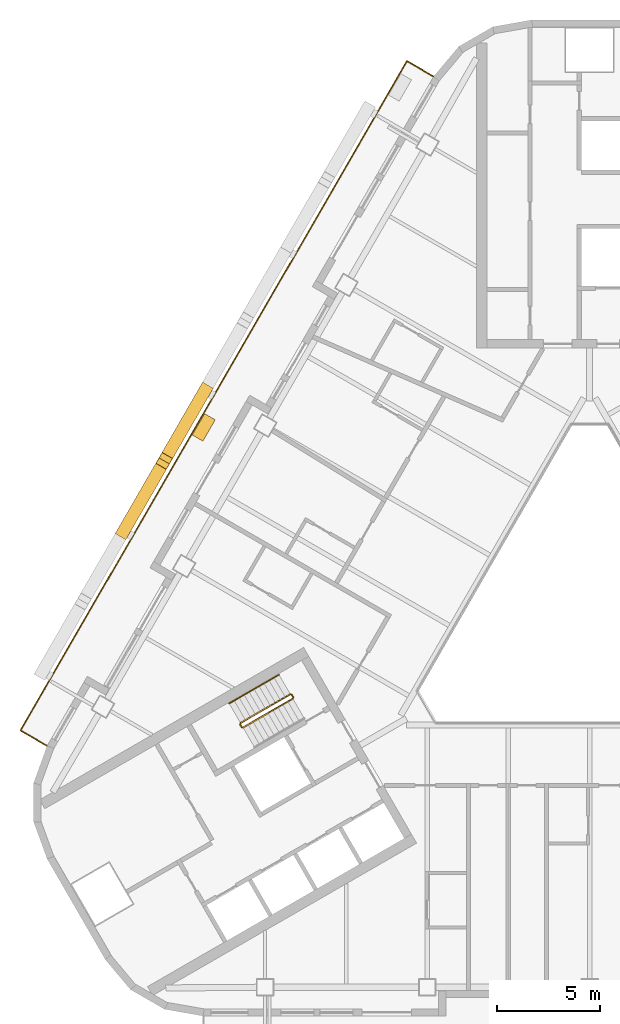
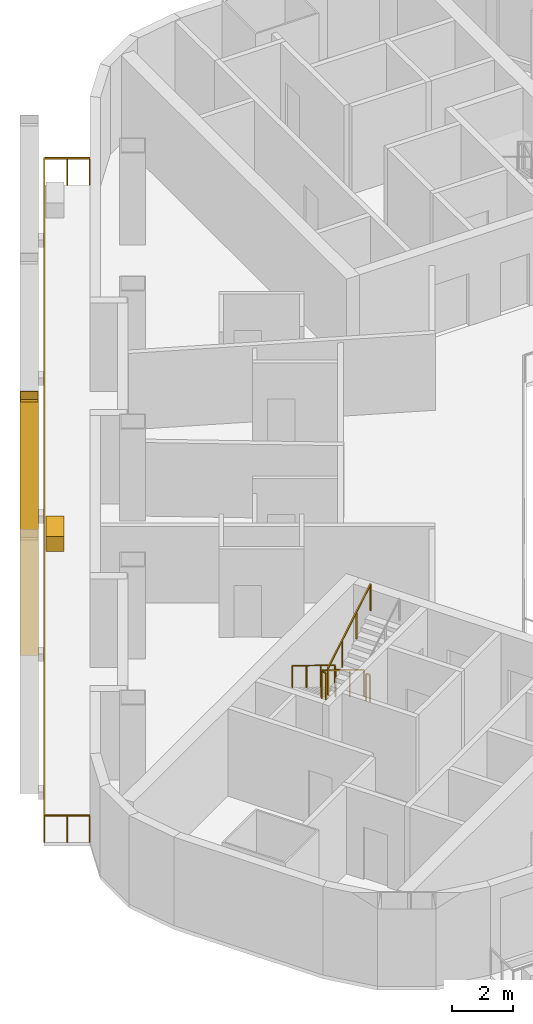
# One storey, part 10 of 14: 6 railings, 2 shading devices, 1 covering.
"""IFC4 building model written with IfcOpenShell, lengths in metres."""

from ifc_helpers import new_model, si_unit, direction, frame, origin, origin_2d, place, context, subcontext, project, spatial, rectangle, hollow_rectangle, circle, extrude, material, material_profile, profile_set, type_object, element, save


model = new_model("IFC4")

# Units and contexts
model_context = context("Model", 3, precision=1e-05, world=origin(), true_north=direction((0.0, 1.0)))
body_context = subcontext(model_context, "Body", "Model", "MODEL_VIEW")
ifc_project = project(units=[si_unit("LENGTHUNIT", "METRE"), si_unit("AREAUNIT", "SQUARE_METRE"), si_unit("VOLUMEUNIT", "CUBIC_METRE"), si_unit("PLANEANGLEUNIT", "RADIAN"), si_unit("MASSUNIT", "GRAM", prefix="KILO")], contexts=[model_context])

# Site, building, storey
site_placement = place(None, origin())
site = spatial("IfcSite", under=ifc_project, at=site_placement, CompositionType="ELEMENT")
building_placement = place(site_placement, origin())
building = spatial("IfcBuilding", under=site, at=building_placement, Name="Apuvela Tower Hotel", CompositionType="ELEMENT")
storey_placement = place(building_placement, frame((0.0, 0.0, 176.199951171875)))
storey = spatial("IfcBuildingStorey", under=building, at=storey_placement, Name="L42", CompositionType="ELEMENT", Elevation=176.199951171875)

# Railings
ifc_material_1 = material(Name="Steel S275 balustrade", Category="steel")
railing_type_1 = type_object("IfcRailingType", Name="COR-GUARD-1100", PredefinedType="GUARDRAIL", material=ifc_material_1)
railing_1_placement = place(storey_placement, frame((-14.569091796875, -3.9658203125, 0.168212890625)))
element("IfcRailing", 1, at=railing_1_placement, inside=storey, type_object=railing_type_1, Name="L42 ST2 stair guard 1", PredefinedType="GUARDRAIL", context=body_context, shape_type="SweptSolid", body=[
    extrude(rectangle(XDim=0.048095703125, YDim=0.048095703125, at=origin_2d()), frame((0.0, 0.0, 1.076171875), z_axis=(-0.742390482028, -0.42860119049, 0.514934356695), x_axis=(0.49998411664, -0.866034573852, 0.0)), (0.0, 0.0, 1.0), 3.26611328125),
    extrude(rectangle(XDim=0.0419921875, YDim=0.0419921875, at=origin_2d()), origin(), (0.0, 0.0, 1.0), 1.052001953125),
    extrude(rectangle(XDim=0.0419921875, YDim=0.0419921875, at=origin_2d()), frame((-0.808349609375, -0.466552734375, 0.560546875)), (0.0, 0.0, 1.0), 1.052001953125),
    extrude(rectangle(XDim=0.0419921875, YDim=0.0419921875, at=origin_2d()), frame((-1.616455078125, -0.933349609375, 1.121337890625)), (0.0, 0.0, 1.0), 1.052001953125),
    extrude(rectangle(XDim=0.0419921875, YDim=0.0419921875, at=origin_2d()), frame((-2.4248046875, -1.39990234375, 1.681884765625)), (0.0, 0.0, 1.0), 1.052001953125),
])
railing_2_placement = place(storey_placement, frame((-17.01220703125, -5.43408203125, 1.85009765625)))
element("IfcRailing", 2, at=railing_2_placement, inside=storey, type_object=railing_type_1, Name="L42 ST2 stair guard 2", PredefinedType="GUARDRAIL", context=body_context, shape_type="SweptSolid", body=[
    extrude(rectangle(XDim=0.048095703125, YDim=0.048095703125, at=origin_2d()), frame((0.0, 0.0, 1.076171875), z_axis=(0.499816412211, -0.866131372301, 0.0), x_axis=(0.866131372301, 0.499816412211, 0.0)), (0.0, 0.0, 1.0), 0.14990234375),
    extrude(rectangle(XDim=0.0419921875, YDim=0.0419921875, at=origin_2d()), origin(), (0.0, 0.0, 1.0), 1.052001953125),
    extrude(rectangle(XDim=0.0419921875, YDim=0.0419921875, at=origin_2d()), frame((0.074951171875, -0.1298828125, 0.0)), (0.0, 0.0, 1.0), 1.052001953125),
])
railing_3_placement = place(storey_placement, frame((-16.868896484375, -5.582275390625, 2.018310546875)))
element("IfcRailing", 3, at=railing_3_placement, inside=storey, type_object=railing_type_1, Name="L42 ST2 stair guard 3", PredefinedType="GUARDRAIL", context=body_context, shape_type="SweptSolid", body=[
    extrude(rectangle(XDim=0.048095703125, YDim=0.048095703125, at=origin_2d()), frame((0.0, 0.0, 1.076171875), z_axis=(0.74241905619, 0.428617687091, 0.514879426), x_axis=(-0.49998411664, 0.866034573852, 0.0)), (0.0, 0.0, 1.0), 3.26611328125),
    extrude(rectangle(XDim=0.0419921875, YDim=0.0419921875, at=origin_2d()), origin(), (0.0, 0.0, 1.0), 1.052001953125),
    extrude(rectangle(XDim=0.0419921875, YDim=0.0419921875, at=origin_2d()), frame((0.808349609375, 0.466552734375, 0.560546875)), (0.0, 0.0, 1.0), 1.052001953125),
    extrude(rectangle(XDim=0.0419921875, YDim=0.0419921875, at=origin_2d()), frame((1.616455078125, 0.933349609375, 1.12109375)), (0.0, 0.0, 1.0), 1.052001953125),
    extrude(rectangle(XDim=0.0419921875, YDim=0.0419921875, at=origin_2d()), frame((2.4248046875, 1.39990234375, 1.681640625)), (0.0, 0.0, 1.0), 1.052001953125),
])
railing_4_placement = place(storey_placement, frame((-14.500732421875, -3.984130859375, 0.0)))
element("IfcRailing", 4, at=railing_4_placement, inside=storey, type_object=railing_type_1, Name="L42 ST2 stair guard 4", PredefinedType="GUARDRAIL", context=body_context, shape_type="SweptSolid", body=[
    extrude(rectangle(XDim=0.048095703125, YDim=0.048095703125, at=origin_2d()), frame((0.0, 0.0, 1.076171875), z_axis=(0.499816412211, -0.866131372301, 0.0), x_axis=(0.866131372301, 0.499816412211, 0.0)), (0.0, 0.0, 1.0), 0.14990234375),
    extrude(rectangle(XDim=0.0419921875, YDim=0.0419921875, at=origin_2d()), origin(), (0.0, 0.0, 1.0), 1.052001953125),
    extrude(rectangle(XDim=0.0419921875, YDim=0.0419921875, at=origin_2d()), frame((0.074951171875, -0.1298828125, 0.0)), (0.0, 0.0, 1.0), 1.052001953125),
])
ifc_material_2 = material(Name="Stainless steel 316 handrail", Category="steel")
railing_type_2 = type_object("IfcRailingType", Name="COR-HANDRAIL-900", PredefinedType="HANDRAIL", material=ifc_material_2)
railing_5_placement = place(storey_placement, frame((-15.118896484375, -3.01318359375, 0.168212890625)))
element("IfcRailing", 5, at=railing_5_placement, inside=storey, type_object=railing_type_2, Name="L42 ST2 stair handrail 1", PredefinedType="HANDRAIL", context=body_context, shape_type="SweptSolid", body=[
    extrude(circle(Radius=0.02392578125, at=origin_2d()), frame((0.0, 0.0, 0.8759765625), z_axis=(-0.742424030051, -0.428577407461, 0.514905783049), x_axis=(0.49994636267, -0.866056369097, 0.0)), (0.0, 0.0, 1.0), 3.266357421875),
    extrude(rectangle(XDim=0.0419921875, YDim=0.0419921875, at=origin_2d()), origin(), (0.0, 0.0, 1.0), 0.851806640625),
    extrude(rectangle(XDim=0.0419921875, YDim=0.0419921875, at=origin_2d()), frame((-0.808349609375, -0.466552734375, 0.560546875)), (0.0, 0.0, 1.0), 0.851806640625),
    extrude(rectangle(XDim=0.0419921875, YDim=0.0419921875, at=origin_2d()), frame((-1.61669921875, -0.933349609375, 1.121337890625)), (0.0, 0.0, 1.0), 0.851806640625),
    extrude(rectangle(XDim=0.0419921875, YDim=0.0419921875, at=origin_2d()), frame((-2.425048828125, -1.39990234375, 1.681884765625)), (0.0, 0.0, 1.0), 0.851806640625),
])

# Shading devices
ifc_material_3 = material(Name="Aluminium 6063-T6, black anodised", Category="aluminium")
ifc_material_profile = material_profile(ifc_material_3, hollow_rectangle(XDim=0.60009765625, YDim=0.699951171875, WallThickness=0.011962890625, at=origin_2d()), Name="AL BOX 700x600x12")
ifc_profile_set = profile_set([ifc_material_profile], Name="Aluminium 6063-T6, black anodised")
shading_device_type = type_object("IfcShadingDeviceType", Name="ENV-FIN-700x600", PredefinedType="USERDEFINED", material=ifc_profile_set)
shading_device_1_placement = place(storey_placement, frame((-18.732177734375, 10.81494140625, -0.099853515625), z_axis=(-0.235436388043, -0.407800622186, 0.882195193667), x_axis=(0.866032218625, -0.499988196164, 0.0)))
element("IfcShadingDevice", 6, at=shading_device_1_placement, inside=storey, type_object=shading_device_type, Name="Lattice fin NW421", ObjectType="FIN", PredefinedType="USERDEFINED", context=body_context, shape_type="SweptSolid", body=[
    extrude(hollow_rectangle(XDim=0.60009765625, YDim=0.699951171875, WallThickness=0.011962890625, at=origin_2d()), origin(), (0.0, 0.0, 1.0), 8.387939453125),
])
shading_device_2_placement = place(storey_placement, frame((-22.68212890625, 3.973388671875, -0.099853515625), z_axis=(0.235461085354, 0.407822092458, 0.882178677019), x_axis=(-0.866020906874, 0.500007788796, 0.0)))
element("IfcShadingDevice", 7, at=shading_device_2_placement, inside=storey, type_object=shading_device_type, Name="Lattice fin NW422", ObjectType="FIN", PredefinedType="USERDEFINED", context=body_context, shape_type="SweptSolid", body=[
    extrude(hollow_rectangle(XDim=0.60009765625, YDim=0.699951171875, WallThickness=0.011962890625, at=origin_2d()), origin(), (0.0, 0.0, 1.0), 8.38818359375),
])

# Railing
ifc_material_4 = material(Name="Stainless steel 316 rail with laminated glass infill", Category="steel")
railing_type_3 = type_object("IfcRailingType", Name="ENV-GUARD-1100", PredefinedType="GUARDRAIL", material=ifc_material_4)
railing_6_placement = place(storey_placement, frame((-7.59228515625, 26.110107421875, 0.0)))
element("IfcRailing", 8, at=railing_6_placement, inside=storey, type_object=railing_type_3, Name="Balcony guard NW L42", PredefinedType="GUARDRAIL", context=body_context, shape_type="SweptSolid", body=[
    extrude(rectangle(XDim=0.050048828125, YDim=0.050048828125, at=origin_2d()), frame((0.0, 0.0, 1.0751953125), z_axis=(-0.86599040064, 0.500060622324, 0.0), x_axis=(-0.500060622324, -0.86599040064, 0.0)), (0.0, 0.0, 1.0), 1.499755859375),
    extrude(rectangle(XDim=0.050048828125, YDim=0.050048828125, at=origin_2d()), frame((-1.298828125, 0.75, 1.0751953125), z_axis=(-0.500000437506, -0.86602515119, 0.0), x_axis=(0.86602515119, -0.500000437506, 0.0)), (0.0, 0.0, 1.0), 37.6318359375),
    extrude(rectangle(XDim=0.050048828125, YDim=0.050048828125, at=origin_2d()), frame((-20.11474609375, -31.840087890625, 1.0751953125), z_axis=(0.866031096941, -0.499990139034, 0.0), x_axis=(0.499990139034, 0.866031096941, 0.0)), (0.0, 0.0, 1.0), 1.5),
    extrude(rectangle(XDim=0.0400390625, YDim=0.0400390625, at=origin_2d()), origin(), (0.0, 0.0, 1.0), 1.050048828125),
    extrude(rectangle(XDim=0.0400390625, YDim=0.0400390625, at=origin_2d()), frame((-0.6494140625, 0.375, 0.0)), (0.0, 0.0, 1.0), 1.050048828125),
    extrude(rectangle(XDim=0.0400390625, YDim=0.0400390625, at=origin_2d()), frame((-1.298828125, 0.75, 0.0)), (0.0, 0.0, 1.0), 1.050048828125),
    extrude(rectangle(XDim=0.0400390625, YDim=0.0400390625, at=origin_2d()), frame((-1.88671875, -0.2685546875, 0.0)), (0.0, 0.0, 1.0), 1.050048828125),
    extrude(rectangle(XDim=0.0400390625, YDim=0.0400390625, at=origin_2d()), frame((-2.474853515625, -1.286865234375, 0.0)), (0.0, 0.0, 1.0), 1.050048828125),
    extrude(rectangle(XDim=0.0400390625, YDim=0.0400390625, at=origin_2d()), frame((-3.062744140625, -2.305419921875, 0.0)), (0.0, 0.0, 1.0), 1.050048828125),
    extrude(rectangle(XDim=0.0400390625, YDim=0.0400390625, at=origin_2d()), frame((-3.65087890625, -3.32373046875, 0.0)), (0.0, 0.0, 1.0), 1.050048828125),
    extrude(rectangle(XDim=0.0400390625, YDim=0.0400390625, at=origin_2d()), frame((-4.23876953125, -4.34228515625, 0.0)), (0.0, 0.0, 1.0), 1.050048828125),
    extrude(rectangle(XDim=0.0400390625, YDim=0.0400390625, at=origin_2d()), frame((-4.826904296875, -5.360595703125, 0.0)), (0.0, 0.0, 1.0), 1.050048828125),
    extrude(rectangle(XDim=0.0400390625, YDim=0.0400390625, at=origin_2d()), frame((-5.414794921875, -6.379150390625, 0.0)), (0.0, 0.0, 1.0), 1.050048828125),
    extrude(rectangle(XDim=0.0400390625, YDim=0.0400390625, at=origin_2d()), frame((-6.0029296875, -7.3974609375, 0.0)), (0.0, 0.0, 1.0), 1.050048828125),
    extrude(rectangle(XDim=0.0400390625, YDim=0.0400390625, at=origin_2d()), frame((-6.5908203125, -8.416015625, 0.0)), (0.0, 0.0, 1.0), 1.050048828125),
    extrude(rectangle(XDim=0.0400390625, YDim=0.0400390625, at=origin_2d()), frame((-7.1787109375, -9.434326171875, 0.0)), (0.0, 0.0, 1.0), 1.050048828125),
    extrude(rectangle(XDim=0.0400390625, YDim=0.0400390625, at=origin_2d()), frame((-7.766845703125, -10.452880859375, 0.0)), (0.0, 0.0, 1.0), 1.050048828125),
    extrude(rectangle(XDim=0.0400390625, YDim=0.0400390625, at=origin_2d()), frame((-8.354736328125, -11.47119140625, 0.0)), (0.0, 0.0, 1.0), 1.050048828125),
    extrude(rectangle(XDim=0.0400390625, YDim=0.0400390625, at=origin_2d()), frame((-8.94287109375, -12.48974609375, 0.0)), (0.0, 0.0, 1.0), 1.050048828125),
    extrude(rectangle(XDim=0.0400390625, YDim=0.0400390625, at=origin_2d()), frame((-9.53076171875, -13.508056640625, 0.0)), (0.0, 0.0, 1.0), 1.050048828125),
    extrude(rectangle(XDim=0.0400390625, YDim=0.0400390625, at=origin_2d()), frame((-10.118896484375, -14.526611328125, 0.0)), (0.0, 0.0, 1.0), 1.050048828125),
    extrude(rectangle(XDim=0.0400390625, YDim=0.0400390625, at=origin_2d()), frame((-10.706787109375, -15.544921875, 0.0)), (0.0, 0.0, 1.0), 1.050048828125),
    extrude(rectangle(XDim=0.0400390625, YDim=0.0400390625, at=origin_2d()), frame((-11.294677734375, -16.5634765625, 0.0)), (0.0, 0.0, 1.0), 1.050048828125),
    extrude(rectangle(XDim=0.0400390625, YDim=0.0400390625, at=origin_2d()), frame((-11.8828125, -17.58203125, 0.0)), (0.0, 0.0, 1.0), 1.050048828125),
    extrude(rectangle(XDim=0.0400390625, YDim=0.0400390625, at=origin_2d()), frame((-12.470703125, -18.600341796875, 0.0)), (0.0, 0.0, 1.0), 1.050048828125),
    extrude(rectangle(XDim=0.0400390625, YDim=0.0400390625, at=origin_2d()), frame((-13.058837890625, -19.618896484375, 0.0)), (0.0, 0.0, 1.0), 1.050048828125),
    extrude(rectangle(XDim=0.0400390625, YDim=0.0400390625, at=origin_2d()), frame((-13.646728515625, -20.63720703125, 0.0)), (0.0, 0.0, 1.0), 1.050048828125),
    extrude(rectangle(XDim=0.0400390625, YDim=0.0400390625, at=origin_2d()), frame((-14.23486328125, -21.65576171875, 0.0)), (0.0, 0.0, 1.0), 1.050048828125),
    extrude(rectangle(XDim=0.0400390625, YDim=0.0400390625, at=origin_2d()), frame((-14.82275390625, -22.674072265625, 0.0)), (0.0, 0.0, 1.0), 1.050048828125),
    extrude(rectangle(XDim=0.0400390625, YDim=0.0400390625, at=origin_2d()), frame((-15.41064453125, -23.692626953125, 0.0)), (0.0, 0.0, 1.0), 1.050048828125),
    extrude(rectangle(XDim=0.0400390625, YDim=0.0400390625, at=origin_2d()), frame((-15.998779296875, -24.7109375, 0.0)), (0.0, 0.0, 1.0), 1.050048828125),
    extrude(rectangle(XDim=0.0400390625, YDim=0.0400390625, at=origin_2d()), frame((-16.586669921875, -25.7294921875, 0.0)), (0.0, 0.0, 1.0), 1.050048828125),
    extrude(rectangle(XDim=0.0400390625, YDim=0.0400390625, at=origin_2d()), frame((-17.1748046875, -26.747802734375, 0.0)), (0.0, 0.0, 1.0), 1.050048828125),
    extrude(rectangle(XDim=0.0400390625, YDim=0.0400390625, at=origin_2d()), frame((-17.7626953125, -27.766357421875, 0.0)), (0.0, 0.0, 1.0), 1.050048828125),
    extrude(rectangle(XDim=0.0400390625, YDim=0.0400390625, at=origin_2d()), frame((-18.350830078125, -28.78466796875, 0.0)), (0.0, 0.0, 1.0), 1.050048828125),
    extrude(rectangle(XDim=0.0400390625, YDim=0.0400390625, at=origin_2d()), frame((-18.938720703125, -29.80322265625, 0.0)), (0.0, 0.0, 1.0), 1.050048828125),
    extrude(rectangle(XDim=0.0400390625, YDim=0.0400390625, at=origin_2d()), frame((-19.52685546875, -30.821533203125, 0.0)), (0.0, 0.0, 1.0), 1.050048828125),
    extrude(rectangle(XDim=0.0400390625, YDim=0.0400390625, at=origin_2d()), frame((-20.11474609375, -31.840087890625, 0.0)), (0.0, 0.0, 1.0), 1.050048828125),
    extrude(rectangle(XDim=0.0400390625, YDim=0.0400390625, at=origin_2d()), frame((-19.46533203125, -32.215087890625, 0.0)), (0.0, 0.0, 1.0), 1.050048828125),
    extrude(rectangle(XDim=0.0400390625, YDim=0.0400390625, at=origin_2d()), frame((-18.815673828125, -32.590087890625, 0.0)), (0.0, 0.0, 1.0), 1.050048828125),
])

# Covering
ifc_material_5 = material(Name="Planting substrate and soil, planted")
covering_type = type_object("IfcCoveringType", Name="ENV-PLANTER-1200x600", PredefinedType="USERDEFINED", material=ifc_material_5)
covering_placement = place(storey_placement, frame((-18.78369140625, 9.02587890625, 0.0), z_axis=(0.0, 0.0, 1.0), x_axis=(-0.5, -0.866025403784, 0.0)))
element("IfcCovering", 9, at=covering_placement, inside=storey, type_object=covering_type, Name="Planter NW5", ObjectType="PLANTER", PredefinedType="USERDEFINED", context=body_context, shape_type="SweptSolid", body=[
    extrude(rectangle(XDim=1.199951171875, YDim=0.60009765625, at=origin_2d()), origin(), (0.0, 0.0, 1.0), 0.60009765625),
])

save(model, "model.ifc")
